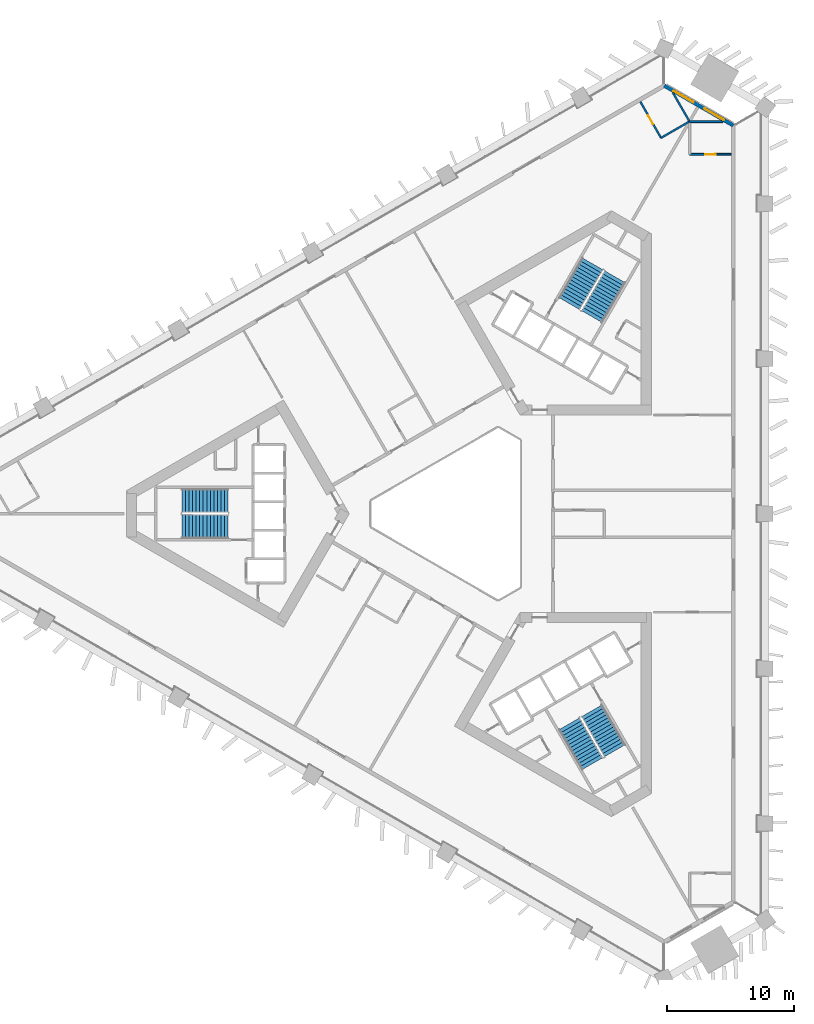
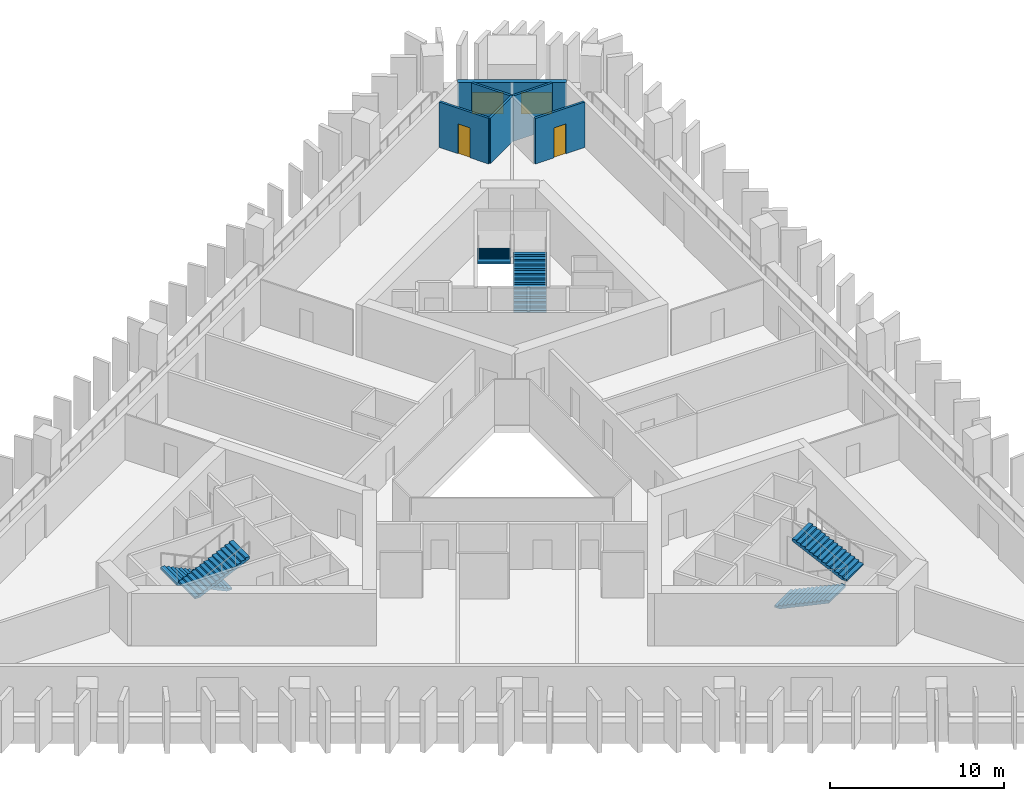
# One storey, part 6 of 10: 6 stair flights, 6 walls, 2 doors, 2 windows, 4 openings, 3 elements without a shape of their own.
"""IFC4 building model written with IfcOpenShell, lengths in metres."""

from ifc_helpers import new_model, si_unit, direction, frame, frame_2d, origin, place, context, subcontext, project, spatial, polyline, rectangle, outline, extrude, material, layer, layer_set, type_object, element, fill, aggregate, save


model = new_model("IFC4")

# Units and contexts
model_context = context("Model", 3, precision=1e-05, world=origin(), true_north=direction((0.0, 1.0)))
body_context = subcontext(model_context, "Body", "Model", "MODEL_VIEW")
ifc_project = project(units=[si_unit("LENGTHUNIT", "METRE"), si_unit("AREAUNIT", "SQUARE_METRE"), si_unit("VOLUMEUNIT", "CUBIC_METRE"), si_unit("PLANEANGLEUNIT", "RADIAN"), si_unit("MASSUNIT", "GRAM", prefix="KILO")], contexts=[model_context])

# Site, building, storey
site_placement = place(None, origin())
site = spatial("IfcSite", under=ifc_project, at=site_placement, CompositionType="ELEMENT")
building_placement = place(site_placement, origin())
building = spatial("IfcBuilding", under=site, at=building_placement, Name="Jabali Bay Hotel Tower and Convention Centre", CompositionType="ELEMENT")
storey_placement = place(building_placement, frame((0.0, 0.0, 37.39990234375)))
storey = spatial("IfcBuildingStorey", under=building, at=storey_placement, Name="L07", CompositionType="ELEMENT", Elevation=37.39990234375)

# Wall, openings, windows
ifc_material_1 = material(Name="Concrete C40", Category="concrete")
ifc_layer_1 = layer(ifc_material_1, 0.300048828125)
ifc_layer_set_1 = layer_set([ifc_layer_1], Name="Concrete C40")
wall_type_1 = type_object("IfcWallType", Name="External wall 300", PredefinedType="SOLIDWALL", material=ifc_layer_set_1)
wall_1_placement = place(storey_placement, frame((90.90966796875, 113.8388671875, 0.0), z_axis=(0.0, 0.0, 1.0), x_axis=(0.866022511254, -0.500005009975, 0.0)))
wall_1 = element("IfcWall", 1, at=wall_1_placement, inside=storey, type_object=wall_type_1, Name="External wall north-east chamfer L07", PredefinedType="SOLIDWALL", context=body_context, shape_type="SweptSolid", body=[
    extrude(rectangle(XDim=6.28271484375, YDim=0.300048828125, at=frame_2d((3.141357421875, 0.0))), origin(), (0.0, 0.0, 1.0), 3.2001953125),
])
opening_1_placement = place(wall_1_placement, frame((3.64599609375, 0.0, 0.89990234375)))
opening_1 = element("IfcOpeningElement", 2, at=opening_1_placement, cuts=wall_1, Name="Opening W1", PredefinedType="OPENING", context=body_context, shape_type="SweptSolid", body=[
    extrude(rectangle(XDim=1.800048828125, YDim=1.5, at=frame_2d((0.89990234375, 0.75))), frame((0.0, 0.16064453125, 0.0), z_axis=(0.0, -1.0, 0.0), x_axis=(1.0, 0.0, 0.0)), (0.0, 0.0, 1.0), 0.321044921875),
])
opening_2_placement = place(wall_1_placement, frame((0.8408203125, 0.0, 0.89990234375)))
opening_2 = element("IfcOpeningElement", 3, at=opening_2_placement, cuts=wall_1, Name="Opening W1", PredefinedType="OPENING", context=body_context, shape_type="SweptSolid", body=[
    extrude(rectangle(XDim=1.800048828125, YDim=1.5, at=frame_2d((0.89990234375, 0.75))), frame((0.0, 0.16064453125, 0.0), z_axis=(0.0, -1.0, 0.0), x_axis=(1.0, 0.0, 0.0)), (0.0, 0.0, 1.0), 0.321044921875),
])
ifc_material_2 = material(Name="Glass", Category="glass")
window_type = type_object("IfcWindowType", Name="Window 1800 x 1500", PartitioningType="SINGLE_PANEL", PredefinedType="WINDOW", material=ifc_material_2)
window_1_placement = place(opening_1_placement, origin())
window_1 = element("IfcWindow", 4, at=window_1_placement, inside=storey, type_object=window_type, Name="Window 703", OverallHeight=1.5, OverallWidth=1.800048828125, PartitioningType="SINGLE_PANEL", PredefinedType="WINDOW", context=body_context, shape_type="SweptSolid", body=[
    extrude(rectangle(XDim=1.800048828125, YDim=1.5, at=frame_2d((0.89990234375, 0.75))), frame((0.0, 0.030029296875, 0.0), z_axis=(0.0, -1.0, 0.0), x_axis=(1.0, 0.0, 0.0)), (0.0, 0.0, 1.0), 0.06005859375),
])
fill(opening_1, window_1)
window_2_placement = place(opening_2_placement, origin())
window_2 = element("IfcWindow", 5, at=window_2_placement, inside=storey, type_object=window_type, Name="Window 704", OverallHeight=1.5, OverallWidth=1.800048828125, PartitioningType="SINGLE_PANEL", PredefinedType="WINDOW", context=body_context, shape_type="SweptSolid", body=[
    extrude(rectangle(XDim=1.800048828125, YDim=1.5, at=frame_2d((0.89990234375, 0.75))), frame((0.0, 0.030029296875, 0.0), z_axis=(0.0, -1.0, 0.0), x_axis=(1.0, 0.0, 0.0)), (0.0, 0.0, 1.0), 0.06005859375),
])
fill(opening_2, window_2)

# Wall, opening, door
ifc_material_3 = material(Name="Plasterboard on steel stud", Category="steel")
ifc_layer_2 = layer(ifc_material_3, 0.14990234375)
ifc_layer_set_2 = layer_set([ifc_layer_2], Name="Plasterboard on steel stud")
wall_type_2 = type_object("IfcWallType", Name="Partition 150 wet", PredefinedType="PARTITIONING", material=ifc_layer_set_2)
wall_2_placement = place(storey_placement, frame((96.20166015625, 108.413330078125, 0.0), z_axis=(0.0, 0.0, 1.0), x_axis=(-0.999983351016, -0.005770415135, 0.0)))
wall_2 = element("IfcWall", 6, at=wall_2_placement, inside=storey, type_object=wall_type_2, Name="Partition P03 L07 012", PredefinedType="PARTITIONING", context=body_context, shape_type="SweptSolid", body=[
    extrude(rectangle(XDim=3.300048828125, YDim=0.14990234375, at=frame_2d((1.64990234375, 0.0))), origin(), (0.0, 0.0, 1.0), 3.2001953125),
])
opening_3_placement = place(wall_2_placement, frame((1.25, 0.0, 0.0)))
opening_3 = element("IfcOpeningElement", 7, at=opening_3_placement, cuts=wall_2, Name="Opening 0708", PredefinedType="OPENING", context=body_context, shape_type="SweptSolid", body=[
    extrude(rectangle(XDim=0.800048828125, YDim=2.10009765625, at=frame_2d((0.39990234375, 1.050048828125))), frame((0.0, 0.08544921875, 0.0), z_axis=(0.0, -1.0, 0.0), x_axis=(1.0, 0.0, 0.0)), (0.0, 0.0, 1.0), 0.1708984375),
])
ifc_material_4 = material(Name="Timber", Category="wood")
door_type = type_object("IfcDoorType", Name="En-suite door 800 x 2100", OperationType="NOTDEFINED", PredefinedType="NOTDEFINED", material=ifc_material_4)
door_1_placement = place(opening_3_placement, origin())
door_1 = element("IfcDoor", 8, at=door_1_placement, inside=storey, type_object=door_type, Name="Door 0708", OperationType="SINGLE_SWING_RIGHT", OverallHeight=2.10009765625, OverallWidth=0.800048828125, PredefinedType="NOTDEFINED", context=body_context, shape_type="SweptSolid", body=[
    extrude(rectangle(XDim=0.800048828125, YDim=2.10009765625, at=frame_2d((0.39990234375, 1.050048828125))), frame((0.0, 0.02490234375, 0.0), z_axis=(0.0, -1.0, 0.0), x_axis=(1.0, 0.0, 0.0)), (0.0, 0.0, 1.0), 0.050048828125),
])
fill(opening_3, door_1)

# Walls
wall_3_placement = place(storey_placement, frame((92.901611328125, 110.994140625, 0.0), z_axis=(0.0, 0.0, 1.0), x_axis=(1.0, 0.0, 0.0)))
element("IfcWall", 9, at=wall_3_placement, inside=storey, type_object=wall_type_2, Name="Partition P03 L07 014", PredefinedType="PARTITIONING", context=body_context, shape_type="SweptSolid", body=[
    extrude(rectangle(XDim=2.63720703125, YDim=0.14990234375, at=frame_2d((1.318603515625, 0.0))), origin(), (0.0, 0.0, 1.0), 3.2001953125),
])
wall_4_placement = place(storey_placement, frame((91.5791015625, 113.2802734375, 0.0), z_axis=(0.0, 0.0, 1.0), x_axis=(0.500051830632, -0.865995477287, 0.0)))
element("IfcWall", 10, at=wall_4_placement, inside=storey, type_object=wall_type_2, Name="Partition P03 L07 018", PredefinedType="PARTITIONING", context=body_context, shape_type="SweptSolid", body=[
    extrude(rectangle(XDim=2.630615234375, YDim=0.14990234375, at=frame_2d((1.3154296875, 0.0))), origin(), (0.0, 0.0, 1.0), 3.2001953125),
])
wall_5_placement = place(storey_placement, frame((92.89453125, 111.002197265625, 0.0), z_axis=(0.0, 0.0, 1.0), x_axis=(-0.866021400173, -0.500006934395, 0.0)))
element("IfcWall", 11, at=wall_5_placement, inside=storey, type_object=wall_type_2, Name="Partition P03 L07 019", PredefinedType="PARTITIONING", context=body_context, shape_type="SweptSolid", body=[
    extrude(rectangle(XDim=2.60009765625, YDim=0.14990234375, at=frame_2d((1.300048828125, 0.0))), origin(), (0.0, 0.0, 1.0), 3.2001953125),
])

# Wall, opening, door
wall_6_placement = place(storey_placement, frame((90.642822265625, 109.7021484375, 0.0), z_axis=(0.0, 0.0, 1.0), x_axis=(-0.494999221434, 0.868893417388, 0.0)))
wall_6 = element("IfcWall", 12, at=wall_6_placement, inside=storey, type_object=wall_type_2, Name="Partition P03 L07 020", PredefinedType="PARTITIONING", context=body_context, shape_type="SweptSolid", body=[
    extrude(rectangle(XDim=3.300048828125, YDim=0.14990234375, at=frame_2d((1.64990234375, 0.0))), origin(), (0.0, 0.0, 1.0), 3.2001953125),
])
opening_4_placement = place(wall_6_placement, frame((1.25, 0.0, 0.0)))
opening_4 = element("IfcOpeningElement", 13, at=opening_4_placement, cuts=wall_6, Name="Opening 0711", PredefinedType="OPENING", context=body_context, shape_type="SweptSolid", body=[
    extrude(rectangle(XDim=0.800048828125, YDim=2.10009765625, at=frame_2d((0.39990234375, 1.050048828125))), frame((0.0, 0.08544921875, 0.0), z_axis=(0.0, -1.0, 0.0), x_axis=(1.0, 0.0, 0.0)), (0.0, 0.0, 1.0), 0.1708984375),
])
door_2_placement = place(opening_4_placement, origin())
door_2 = element("IfcDoor", 14, at=door_2_placement, inside=storey, type_object=door_type, Name="Door 0711", OperationType="SINGLE_SWING_RIGHT", OverallHeight=2.10009765625, OverallWidth=0.800048828125, PredefinedType="NOTDEFINED", context=body_context, shape_type="SweptSolid", body=[
    extrude(rectangle(XDim=0.800048828125, YDim=2.10009765625, at=frame_2d((0.39990234375, 1.050048828125))), frame((0.0, 0.02490234375, 0.0), z_axis=(0.0, -1.0, 0.0), x_axis=(1.0, 0.0, 0.0)), (0.0, 0.0, 1.0), 0.050048828125),
])
fill(opening_4, door_2)

# Stair, stair flights
stair_type = type_object("IfcStairType", Name="Exit stair 1900", PredefinedType="HALF_TURN_STAIR", material=ifc_material_1)
stair_1_placement = place(storey_placement, origin())
stair_1 = element("IfcStair", 15, at=stair_1_placement, inside=storey, type_object=stair_type, Name="L07 Exit Stair 1", PredefinedType="HALF_TURN_STAIR")
stair_flight_type = type_object("IfcStairFlightType", Name="Stair flight concrete 150", PredefinedType="STRAIGHT", material=ifc_material_1)
stair_flight_1_placement = place(storey_placement, frame((56.419921875, 81.02490234375, 0.0), z_axis=(0.0, 0.0, 1.0), x_axis=(-1.0, 0.0, 0.0)))
stair_flight_1 = element("IfcStairFlight", 16, at=stair_flight_1_placement, type_object=stair_flight_type, Name="ST1 flight 1", NumberOfRisers=14, NumberOfTreads=13, PredefinedType="STRAIGHT", RiserHeight=0.132142857, TreadLength=0.28, context=body_context, shape_type="SweptSolid", body=[
    extrude(outline(polyline([(0.0, 0.0), (0.0, 0.132080078125), (0.280029296875, 0.132080078125), (0.280029296875, 0.264404296875), (0.56005859375, 0.264404296875), (0.56005859375, 0.396484375), (0.840087890625, 0.396484375), (0.840087890625, 0.528564453125), (1.1201171875, 0.528564453125), (1.1201171875, 0.66064453125), (1.39990234375, 0.66064453125), (1.39990234375, 0.79296875), (1.679931640625, 0.79296875), (1.679931640625, 0.925048828125), (1.9599609375, 0.925048828125), (1.9599609375, 1.05712890625), (2.239990234375, 1.05712890625), (2.239990234375, 1.189208984375), (2.52001953125, 1.189208984375), (2.52001953125, 1.321533203125), (2.800048828125, 1.321533203125), (2.800048828125, 1.45361328125), (3.080078125, 1.45361328125), (3.080078125, 1.585693359375), (3.360107421875, 1.585693359375), (3.360107421875, 1.7177734375), (3.639892578125, 1.7177734375), (3.639892578125, 1.85009765625), (3.639892578125, 1.552001953125), (0.351318359375, 0.0), (0.0, 0.0)])), frame((0.0, 0.949951171875, 0.0), z_axis=(0.0, -1.0, 0.0), x_axis=(1.0, 0.0, 0.0)), (0.0, 0.0, 1.0), 1.89990234375),
])
stair_flight_2_placement = place(storey_placement, frame((52.780029296875, 78.97509765625, 1.85009765625), z_axis=(0.0, 0.0, 1.0), x_axis=(1.0, 0.0, 0.0)))
stair_flight_2 = element("IfcStairFlight", 17, at=stair_flight_2_placement, type_object=stair_flight_type, Name="ST1 flight 2", NumberOfRisers=14, NumberOfTreads=13, PredefinedType="STRAIGHT", RiserHeight=0.132142857, TreadLength=0.28, context=body_context, shape_type="SweptSolid", body=[
    extrude(outline(polyline([(0.0, 0.0), (0.0, 0.132080078125), (0.280029296875, 0.132080078125), (0.280029296875, 0.264404296875), (0.56005859375, 0.264404296875), (0.56005859375, 0.396484375), (0.840087890625, 0.396484375), (0.840087890625, 0.528564453125), (1.1201171875, 0.528564453125), (1.1201171875, 0.66064453125), (1.39990234375, 0.66064453125), (1.39990234375, 0.79296875), (1.679931640625, 0.79296875), (1.679931640625, 0.925048828125), (1.9599609375, 0.925048828125), (1.9599609375, 1.05712890625), (2.239990234375, 1.05712890625), (2.239990234375, 1.189208984375), (2.52001953125, 1.189208984375), (2.52001953125, 1.321533203125), (2.800048828125, 1.321533203125), (2.800048828125, 1.45361328125), (3.080078125, 1.45361328125), (3.080078125, 1.585693359375), (3.360107421875, 1.585693359375), (3.360107421875, 1.7177734375), (3.639892578125, 1.7177734375), (3.639892578125, 1.85009765625), (3.639892578125, 1.552001953125), (0.351318359375, 0.0), (0.0, 0.0)])), frame((0.0, 0.949951171875, 0.0), z_axis=(0.0, -1.0, 0.0), x_axis=(1.0, 0.0, 0.0)), (0.0, 0.0, 1.0), 1.89990234375),
])
aggregate(stair_1, [stair_flight_1, stair_flight_2])

stair_2_placement = place(storey_placement, origin())
stair_2 = element("IfcStair", 18, at=stair_2_placement, inside=storey, type_object=stair_type, Name="L07 Exit Stair 2", PredefinedType="HALF_TURN_STAIR")
stair_flight_3_placement = place(storey_placement, frame((85.177734375, 95.578369140625, 0.0), z_axis=(0.0, 0.0, 1.0), x_axis=(0.5, 0.866025403784, 0.0)))
stair_flight_3 = element("IfcStairFlight", 19, at=stair_flight_3_placement, type_object=stair_flight_type, Name="ST2 flight 1", NumberOfRisers=14, NumberOfTreads=13, PredefinedType="STRAIGHT", RiserHeight=0.132142857, TreadLength=0.28, context=body_context, shape_type="SweptSolid", body=[
    extrude(outline(polyline([(0.0, 0.0), (0.0, 0.132080078125), (0.280029296875, 0.132080078125), (0.280029296875, 0.264404296875), (0.56005859375, 0.264404296875), (0.56005859375, 0.396484375), (0.840087890625, 0.396484375), (0.840087890625, 0.528564453125), (1.1201171875, 0.528564453125), (1.1201171875, 0.66064453125), (1.39990234375, 0.66064453125), (1.39990234375, 0.79296875), (1.679931640625, 0.79296875), (1.679931640625, 0.925048828125), (1.9599609375, 0.925048828125), (1.9599609375, 1.05712890625), (2.239990234375, 1.05712890625), (2.239990234375, 1.189208984375), (2.52001953125, 1.189208984375), (2.52001953125, 1.321533203125), (2.800048828125, 1.321533203125), (2.800048828125, 1.45361328125), (3.080078125, 1.45361328125), (3.080078125, 1.585693359375), (3.360107421875, 1.585693359375), (3.360107421875, 1.7177734375), (3.639892578125, 1.7177734375), (3.639892578125, 1.85009765625), (3.639892578125, 1.552001953125), (0.351318359375, 0.0), (0.0, 0.0)])), frame((0.0, 0.949951171875, 0.0), z_axis=(0.0, -1.0, 0.0), x_axis=(1.0, 0.0, 0.0)), (0.0, 0.0, 1.0), 1.89990234375),
])
stair_flight_4_placement = place(storey_placement, frame((85.222412109375, 99.755615234375, 1.85009765625), z_axis=(0.0, 0.0, 1.0), x_axis=(-0.5, -0.866025403784, 0.0)))
stair_flight_4 = element("IfcStairFlight", 20, at=stair_flight_4_placement, type_object=stair_flight_type, Name="ST2 flight 2", NumberOfRisers=14, NumberOfTreads=13, PredefinedType="STRAIGHT", RiserHeight=0.132142857, TreadLength=0.28, context=body_context, shape_type="SweptSolid", body=[
    extrude(outline(polyline([(0.0, 0.0), (0.0, 0.132080078125), (0.280029296875, 0.132080078125), (0.280029296875, 0.264404296875), (0.56005859375, 0.264404296875), (0.56005859375, 0.396484375), (0.840087890625, 0.396484375), (0.840087890625, 0.528564453125), (1.1201171875, 0.528564453125), (1.1201171875, 0.66064453125), (1.39990234375, 0.66064453125), (1.39990234375, 0.79296875), (1.679931640625, 0.79296875), (1.679931640625, 0.925048828125), (1.9599609375, 0.925048828125), (1.9599609375, 1.05712890625), (2.239990234375, 1.05712890625), (2.239990234375, 1.189208984375), (2.52001953125, 1.189208984375), (2.52001953125, 1.321533203125), (2.800048828125, 1.321533203125), (2.800048828125, 1.45361328125), (3.080078125, 1.45361328125), (3.080078125, 1.585693359375), (3.360107421875, 1.585693359375), (3.360107421875, 1.7177734375), (3.639892578125, 1.7177734375), (3.639892578125, 1.85009765625), (3.639892578125, 1.552001953125), (0.351318359375, 0.0), (0.0, 0.0)])), frame((0.0, 0.949951171875, 0.0), z_axis=(0.0, -1.0, 0.0), x_axis=(1.0, 0.0, 0.0)), (0.0, 0.0, 1.0), 1.89990234375),
])
aggregate(stair_2, [stair_flight_3, stair_flight_4])

stair_3_placement = place(storey_placement, origin())
stair_3 = element("IfcStair", 21, at=stair_3_placement, inside=storey, type_object=stair_type, Name="L07 Exit Stair 3", PredefinedType="HALF_TURN_STAIR")
stair_flight_5_placement = place(storey_placement, frame((83.40234375, 63.396728515625, 0.0), z_axis=(0.0, 0.0, 1.0), x_axis=(0.5, -0.866025403784, 0.0)))
stair_flight_5 = element("IfcStairFlight", 22, at=stair_flight_5_placement, type_object=stair_flight_type, Name="ST3 flight 1", NumberOfRisers=14, NumberOfTreads=13, PredefinedType="STRAIGHT", RiserHeight=0.132142857, TreadLength=0.28, context=body_context, shape_type="SweptSolid", body=[
    extrude(outline(polyline([(0.0, 0.0), (0.0, 0.132080078125), (0.280029296875, 0.132080078125), (0.280029296875, 0.264404296875), (0.56005859375, 0.264404296875), (0.56005859375, 0.396484375), (0.840087890625, 0.396484375), (0.840087890625, 0.528564453125), (1.1201171875, 0.528564453125), (1.1201171875, 0.66064453125), (1.39990234375, 0.66064453125), (1.39990234375, 0.79296875), (1.679931640625, 0.79296875), (1.679931640625, 0.925048828125), (1.9599609375, 0.925048828125), (1.9599609375, 1.05712890625), (2.239990234375, 1.05712890625), (2.239990234375, 1.189208984375), (2.52001953125, 1.189208984375), (2.52001953125, 1.321533203125), (2.800048828125, 1.321533203125), (2.800048828125, 1.45361328125), (3.080078125, 1.45361328125), (3.080078125, 1.585693359375), (3.360107421875, 1.585693359375), (3.360107421875, 1.7177734375), (3.639892578125, 1.7177734375), (3.639892578125, 1.85009765625), (3.639892578125, 1.552001953125), (0.351318359375, 0.0), (0.0, 0.0)])), frame((0.0, 0.949951171875, 0.0), z_axis=(0.0, -1.0, 0.0), x_axis=(1.0, 0.0, 0.0)), (0.0, 0.0, 1.0), 1.89990234375),
])
stair_flight_6_placement = place(storey_placement, frame((86.99755859375, 61.26953125, 1.85009765625), z_axis=(0.0, 0.0, 1.0), x_axis=(-0.5, 0.866025403784, 0.0)))
stair_flight_6 = element("IfcStairFlight", 23, at=stair_flight_6_placement, type_object=stair_flight_type, Name="ST3 flight 2", NumberOfRisers=14, NumberOfTreads=13, PredefinedType="STRAIGHT", RiserHeight=0.132142857, TreadLength=0.28, context=body_context, shape_type="SweptSolid", body=[
    extrude(outline(polyline([(0.0, 0.0), (0.0, 0.132080078125), (0.280029296875, 0.132080078125), (0.280029296875, 0.264404296875), (0.56005859375, 0.264404296875), (0.56005859375, 0.396484375), (0.840087890625, 0.396484375), (0.840087890625, 0.528564453125), (1.1201171875, 0.528564453125), (1.1201171875, 0.66064453125), (1.39990234375, 0.66064453125), (1.39990234375, 0.79296875), (1.679931640625, 0.79296875), (1.679931640625, 0.925048828125), (1.9599609375, 0.925048828125), (1.9599609375, 1.05712890625), (2.239990234375, 1.05712890625), (2.239990234375, 1.189208984375), (2.52001953125, 1.189208984375), (2.52001953125, 1.321533203125), (2.800048828125, 1.321533203125), (2.800048828125, 1.45361328125), (3.080078125, 1.45361328125), (3.080078125, 1.585693359375), (3.360107421875, 1.585693359375), (3.360107421875, 1.7177734375), (3.639892578125, 1.7177734375), (3.639892578125, 1.85009765625), (3.639892578125, 1.552001953125), (0.351318359375, 0.0), (0.0, 0.0)])), frame((0.0, 0.949951171875, 0.0), z_axis=(0.0, -1.0, 0.0), x_axis=(1.0, 0.0, 0.0)), (0.0, 0.0, 1.0), 1.89990234375),
])
aggregate(stair_3, [stair_flight_5, stair_flight_6])

save(model, "model.ifc")
